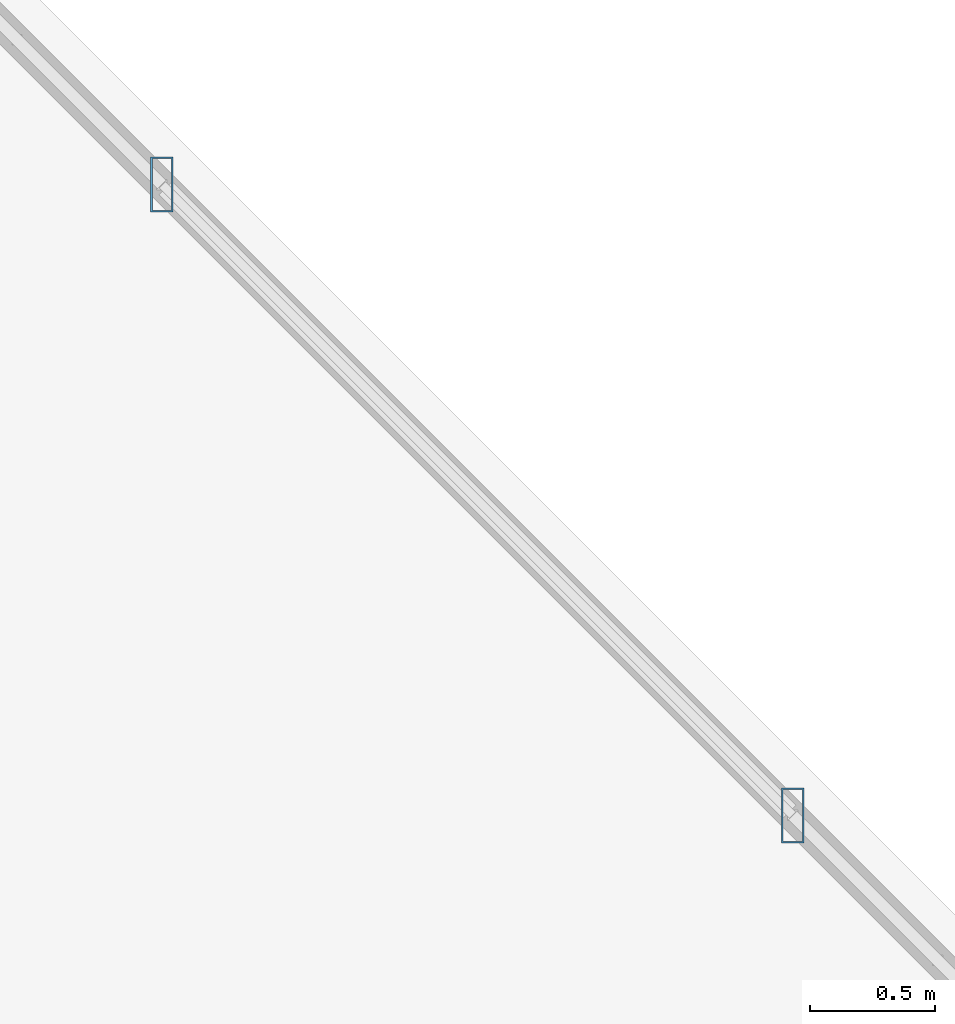
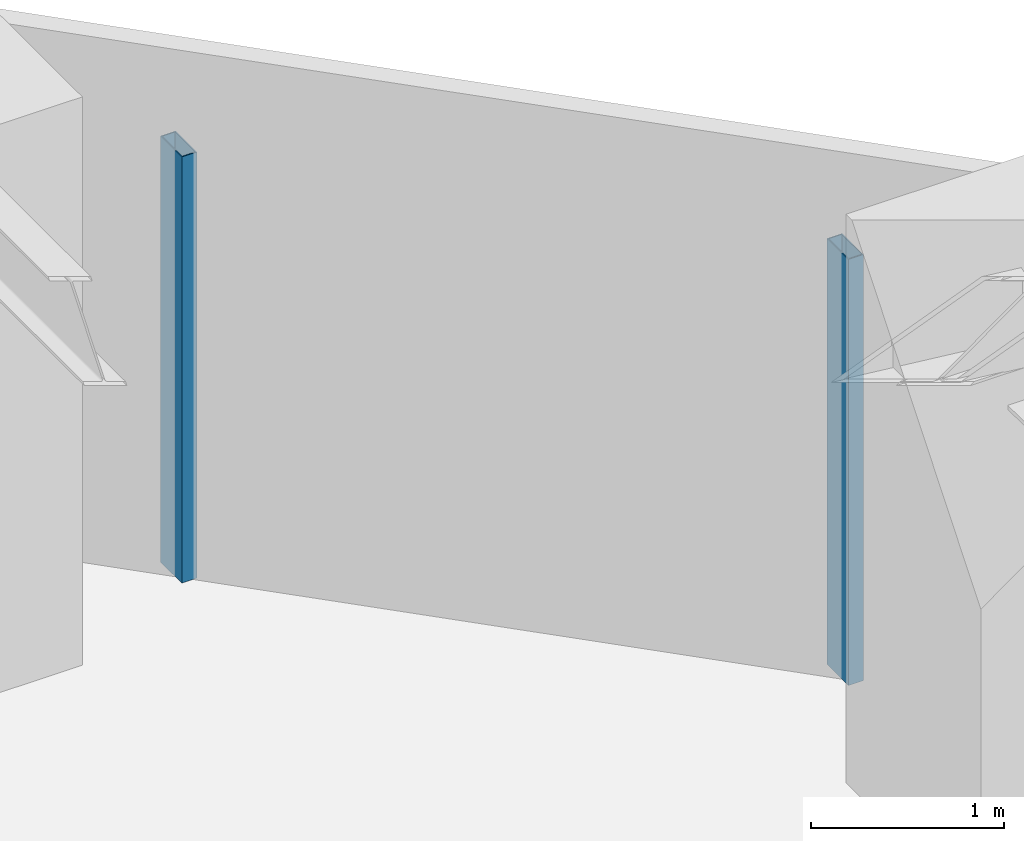
# One storey, part 9 of 33: 2 members, 1 element without a shape of its own.
"""IFC4 building model written with IfcOpenShell, lengths in metres."""

from ifc_helpers import new_model, si_unit, direction, frame, origin, origin_2d, place, context, subcontext, project, spatial, hollow_rectangle, extrude, material, material_profile, profile_set, type_object, element, aggregate, save


model = new_model("IFC4")

# Units and contexts
model_context = context("Model", 3, precision=1e-05, world=origin(), true_north=direction((0.0, 1.0)))
body_context = subcontext(model_context, "Body", "Model", "MODEL_VIEW")
ifc_project = project(units=[si_unit("LENGTHUNIT", "METRE"), si_unit("AREAUNIT", "SQUARE_METRE"), si_unit("VOLUMEUNIT", "CUBIC_METRE"), si_unit("PLANEANGLEUNIT", "RADIAN"), si_unit("MASSUNIT", "GRAM", prefix="KILO")], contexts=[model_context])

# Site, building, storey
site_placement = place(None, origin())
site = spatial("IfcSite", under=ifc_project, at=site_placement, CompositionType="ELEMENT")
building_placement = place(site_placement, origin())
building = spatial("IfcBuilding", under=site, at=building_placement, Name="Thornwick Lancets Civic Towers", CompositionType="ELEMENT")
storey_placement = place(building_placement, frame((0.0, 0.0, 42.300048828125)))
storey = spatial("IfcBuildingStorey", under=building, at=storey_placement, Name="L10", CompositionType="ELEMENT", Elevation=42.300048828125)

# Curtain wall, members
ifc_material_1 = material(Name="Low-zone chamfered-corner unitised glass curtain wall", Category="glass")
curtain_wall_type = type_object("IfcCurtainWallType", Name="CW_SYS_03", PredefinedType="NOTDEFINED", material=ifc_material_1)
curtain_wall_placement = place(storey_placement, origin())
curtain_wall = element("IfcCurtainWall", 1, at=curtain_wall_placement, inside=storey, type_object=curtain_wall_type, Name="L10 Curtain Wall CW-L10-A-E3", PredefinedType="NOTDEFINED")
ifc_material_2 = material(Name="Thermally broken bronze aluminium S355", Category="steel")
ifc_material_profile = material_profile(ifc_material_2, hollow_rectangle(XDim=0.090087890625, YDim=0.219970703125, WallThickness=0.00634765625, at=origin_2d()), Name="RHS 220x90x6.3")
ifc_profile_set = profile_set([ifc_material_profile], Name="Thermally broken bronze aluminium S355")
member_type = type_object("IfcMemberType", Name="CW_MUL_220", PredefinedType="MULLION", material=ifc_profile_set)
member_1_placement = place(storey_placement, frame((42.594482421875, 41.562255859375, 0.0), z_axis=(0.0, 0.0, 1.0), x_axis=(1.0, 0.0, 0.0)))
member_1 = element("IfcMember", 2, at=member_1_placement, type_object=member_type, Name="CW-L10-A-E3 Mullion 0", PredefinedType="MULLION", context=body_context, shape_type="SweptSolid", body=[
    extrude(hollow_rectangle(XDim=0.090087890625, YDim=0.219970703125, WallThickness=0.00634765625, at=origin_2d()), origin(), (0.0, 0.0, 1.0), 2.699951171875),
])
member_2_placement = place(storey_placement, frame((40.062255859375, 44.094482421875, 0.0), z_axis=(0.0, 0.0, 1.0), x_axis=(1.0, 0.0, 0.0)))
member_2 = element("IfcMember", 3, at=member_2_placement, type_object=member_type, Name="CW-L10-A-E3 Mullion 1", PredefinedType="MULLION", context=body_context, shape_type="SweptSolid", body=[
    extrude(hollow_rectangle(XDim=0.090087890625, YDim=0.219970703125, WallThickness=0.00634765625, at=origin_2d()), origin(), (0.0, 0.0, 1.0), 2.699951171875),
])
aggregate(curtain_wall, [member_1, member_2])

save(model, "model.ifc")
